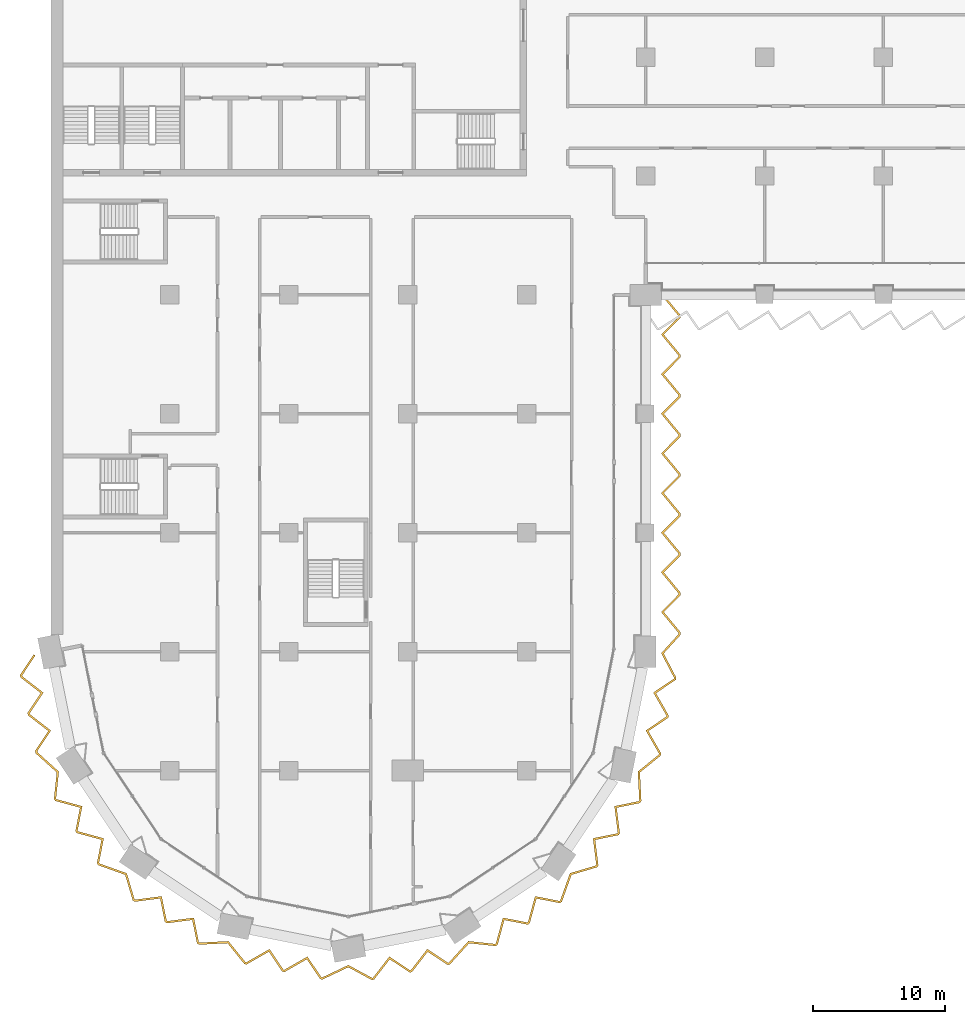
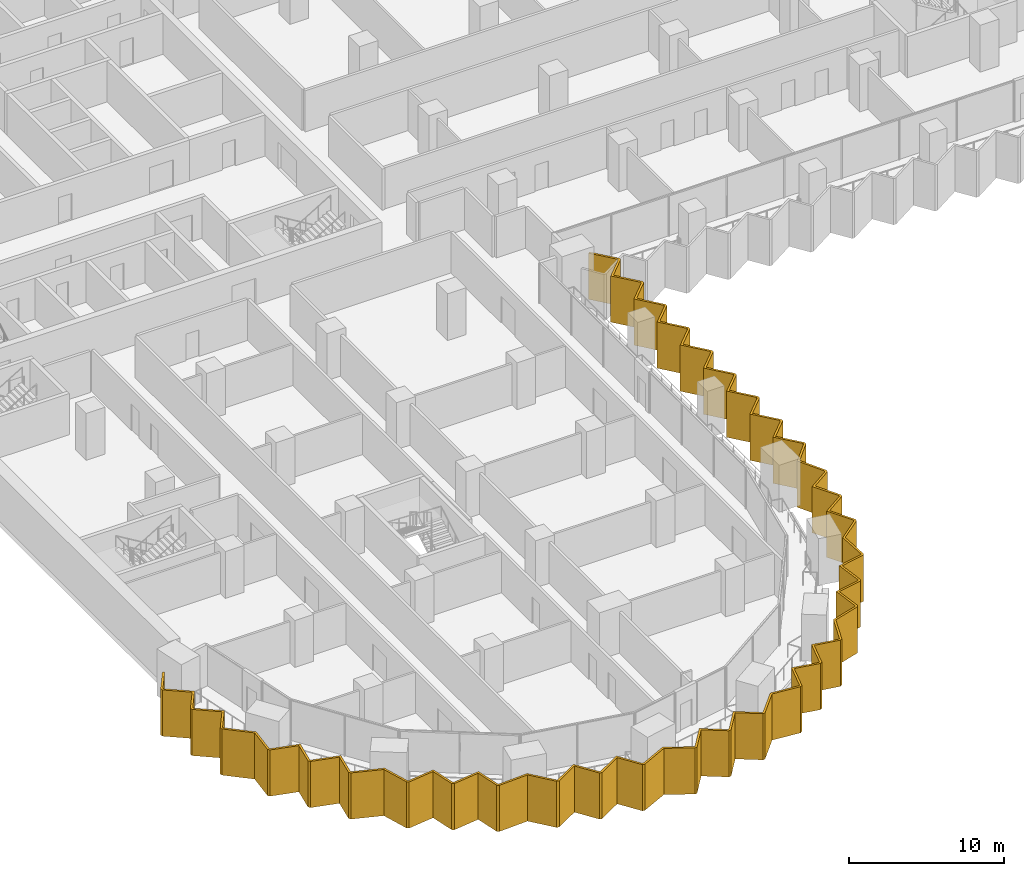
# One storey, part 23 of 28: 1 shading device.
"""IFC4 building model written with IfcOpenShell, lengths in metres."""

from ifc_helpers import new_model, si_unit, direction, frame, origin, place, context, subcontext, project, spatial, polyline, outline, extrude, material, layer, layer_set, type_object, element, save


model = new_model("IFC4")

# Units and contexts
model_context = context("Model", 3, precision=1e-05, world=origin(), true_north=direction((0.0, 1.0)))
body_context = subcontext(model_context, "Body", "Model", "MODEL_VIEW")
ifc_project = project(units=[si_unit("LENGTHUNIT", "METRE"), si_unit("AREAUNIT", "SQUARE_METRE"), si_unit("VOLUMEUNIT", "CUBIC_METRE"), si_unit("PLANEANGLEUNIT", "RADIAN"), si_unit("MASSUNIT", "GRAM", prefix="KILO")], contexts=[model_context])

# Site, building, storey
site_placement = place(None, origin())
site = spatial("IfcSite", under=ifc_project, at=site_placement, CompositionType="ELEMENT")
building_placement = place(site_placement, origin())
building = spatial("IfcBuilding", under=site, at=building_placement, Name="Hunhe Ridgeline Campus", CompositionType="ELEMENT")
storey_placement = place(building_placement, frame((0.0, 0.0, 76.5)))
storey = spatial("IfcBuildingStorey", under=building, at=storey_placement, Name="L18", CompositionType="ELEMENT", Elevation=76.5)

# Shading device
ifc_material = material(Name="Concrete C50", Category="concrete")
ifc_layer = layer(ifc_material, 0.14990234375)
ifc_layer_set = layer_set([ifc_layer], Name="Sawtooth concrete fin 150 Concrete C50")
shading_device_type = type_object("IfcShadingDeviceType", Name="Sawtooth concrete fin 150 Concrete C50", PredefinedType="USERDEFINED", material=ifc_layer_set)
shading_device_placement = place(storey_placement, frame((0.0, 0.0, -0.949951171875)))
element("IfcShadingDevice", 1, at=shading_device_placement, inside=storey, type_object=shading_device_type, Name="Concrete fin screen 1", ObjectType="FIN", PredefinedType="USERDEFINED", context=body_context, shape_type="SweptSolid", body=[
    extrude(outline(polyline([(-1.18798828125, 26.709716796875), (-1.31298828125, 26.792724609375), (-2.349609375, 25.228271484375), (-2.314697265625, 25.052734375), (-0.780517578125, 23.864501953125), (-1.778564453125, 22.358154296875), (-1.74365234375, 22.1826171875), (-0.209716796875, 20.994384765625), (-1.207763671875, 19.488037109375), (-1.17333984375, 19.315673828125), (0.43310546875, 17.862060546875), (0.22216796875, 15.850341796875), (0.319580078125, 15.704833984375), (2.19140625, 15.194091796875), (1.845947265625, 13.42041015625), (1.9453125, 13.271728515625), (3.817138671875, 12.760986328125), (3.4716796875, 10.9873046875), (3.5693359375, 10.841064453125), (5.60986328125, 10.113037109375), (6.184814453125, 8.173828125), (6.330322265625, 8.076416015625), (8.25537109375, 8.321044921875), (8.61474609375, 6.550048828125), (8.763427734375, 6.45068359375), (10.6884765625, 6.6953125), (11.0478515625, 4.92431640625), (11.194091796875, 4.82666015625), (13.35791015625, 4.934814453125), (14.631103515625, 3.36328125), (14.802978515625, 3.3291015625), (16.48779296875, 4.291748046875), (17.49755859375, 2.793212890625), (17.673095703125, 2.75830078125), (19.35791015625, 3.720703125), (20.36767578125, 2.22216796875), (20.5400390625, 2.18798828125), (22.497802734375, 3.115966796875), (24.275390625, 2.1513671875), (24.447265625, 2.185302734375), (25.635498046875, 3.719482421875), (27.141845703125, 2.721435546875), (27.3173828125, 2.75634765625), (28.505615234375, 4.290283203125), (30.011962890625, 3.292236328125), (30.184326171875, 3.32666015625), (31.637939453125, 4.93310546875), (33.649658203125, 4.72216796875), (33.795166015625, 4.819580078125), (34.305908203125, 6.69140625), (36.07958984375, 6.345947265625), (36.228271484375, 6.4453125), (36.739013671875, 8.317138671875), (38.5126953125, 7.9716796875), (38.658935546875, 8.0693359375), (39.386962890625, 10.10986328125), (41.326171875, 10.684814453125), (41.423583984375, 10.830322265625), (41.178955078125, 12.75537109375), (42.949951171875, 13.11474609375), (43.04931640625, 13.263427734375), (42.8046875, 15.1884765625), (44.57568359375, 15.5478515625), (44.67333984375, 15.694091796875), (44.565185546875, 17.85791015625), (46.13671875, 19.131103515625), (46.1708984375, 19.302978515625), (45.208251953125, 20.98779296875), (46.706787109375, 21.99755859375), (46.74169921875, 22.173095703125), (45.779296875, 23.85791015625), (47.27783203125, 24.86767578125), (47.312255859375, 25.04150390625), (46.365478515625, 26.86279296875), (47.64990234375, 28.28125), (47.64990234375, 28.457275390625), (46.376220703125, 29.995361328125), (47.64990234375, 31.279296875), (47.64990234375, 31.457275390625), (46.376220703125, 32.995361328125), (47.64990234375, 34.279296875), (47.64990234375, 34.457275390625), (46.376220703125, 35.995361328125), (47.64990234375, 37.279296875), (47.64990234375, 37.457275390625), (46.376220703125, 38.995361328125), (47.64990234375, 40.279296875), (47.64990234375, 40.457275390625), (46.376220703125, 41.995361328125), (47.64990234375, 43.279296875), (47.64990234375, 43.457275390625), (46.376220703125, 44.995361328125), (47.64990234375, 46.279296875), (47.64990234375, 46.457275390625), (46.376220703125, 47.995361328125), (47.64990234375, 49.279296875), (47.64990234375, 49.457275390625), (46.376220703125, 50.995361328125), (47.64990234375, 52.279296875), (47.64990234375, 52.457275390625), (46.332763671875, 54.0478515625), (46.21728515625, 53.9521484375), (47.5, 52.4033203125), (47.5, 52.341064453125), (46.173828125, 51.004638671875), (47.5, 49.4033203125), (47.5, 49.341064453125), (46.173828125, 48.004638671875), (47.5, 46.4033203125), (47.5, 46.341064453125), (46.173828125, 45.004638671875), (47.5, 43.4033203125), (47.5, 43.341064453125), (46.173828125, 42.004638671875), (47.5, 40.4033203125), (47.5, 40.341064453125), (46.173828125, 39.004638671875), (47.5, 37.4033203125), (47.5, 37.341064453125), (46.173828125, 36.004638671875), (47.5, 34.4033203125), (47.5, 34.341064453125), (46.173828125, 33.004638671875), (47.5, 31.4033203125), (47.5, 31.341064453125), (46.173828125, 30.004638671875), (47.5, 28.4033203125), (47.5, 28.339111328125), (46.184326171875, 26.885986328125), (47.155029296875, 25.01904296875), (47.142822265625, 24.95751953125), (45.579833984375, 23.904296875), (46.583740234375, 22.147216796875), (46.57177734375, 22.08740234375), (45.009033203125, 21.0341796875), (46.0126953125, 19.277099609375), (46.000244140625, 19.213623046875), (44.41162109375, 17.926513671875), (44.52099609375, 15.736083984375), (44.4853515625, 15.6826171875), (42.638427734375, 15.307861328125), (42.893310546875, 13.30029296875), (42.859375, 13.24951171875), (41.0126953125, 12.87451171875), (41.267578125, 10.8671875), (41.231689453125, 10.813232421875), (39.271240234375, 10.23193359375), (38.5341796875, 8.16650390625), (38.480712890625, 8.130615234375), (36.631103515625, 8.4912109375), (36.098388671875, 6.538818359375), (36.047607421875, 6.5048828125), (34.197998046875, 6.865234375), (33.665283203125, 4.9130859375), (33.611328125, 4.876953125), (31.577880859375, 5.09033203125), (30.1064453125, 3.464111328125), (30.04345703125, 3.451416015625), (28.472412109375, 4.4921875), (27.233154296875, 2.892578125), (27.17333984375, 2.880615234375), (25.602294921875, 3.92138671875), (24.363037109375, 2.321533203125), (24.29931640625, 2.308837890625), (22.502197265625, 3.2841796875), (20.5205078125, 2.3447265625), (20.45751953125, 2.357177734375), (19.404296875, 3.920166015625), (17.647216796875, 2.916259765625), (17.58740234375, 2.92822265625), (16.5341796875, 4.490966796875), (14.777099609375, 3.4873046875), (14.713623046875, 3.499755859375), (13.426513671875, 5.08837890625), (11.236083984375, 4.97900390625), (11.1826171875, 5.0146484375), (10.807861328125, 6.861572265625), (8.80029296875, 6.606689453125), (8.74951171875, 6.640625), (8.37451171875, 8.4873046875), (6.3671875, 8.232421875), (6.313232421875, 8.268310546875), (5.73193359375, 10.228759765625), (3.66650390625, 10.9658203125), (3.630615234375, 11.019287109375), (3.9912109375, 12.868896484375), (2.038818359375, 13.401611328125), (2.0048828125, 13.452392578125), (2.365234375, 15.302001953125), (0.4130859375, 15.834716796875), (0.376953125, 15.888671875), (0.59033203125, 17.922119140625), (-1.035888671875, 19.3935546875), (-1.048583984375, 19.45654296875), (-0.0078125, 21.027587890625), (-1.607421875, 22.266845703125), (-1.619384765625, 22.32666015625), (-0.57861328125, 23.897705078125), (-2.178466796875, 25.136962890625), (-2.1904296875, 25.197021484375), (-1.18798828125, 26.709716796875)])), origin(), (0.0, 0.0, 1.0), 3.64990234375),
])

save(model, "model.ifc")
